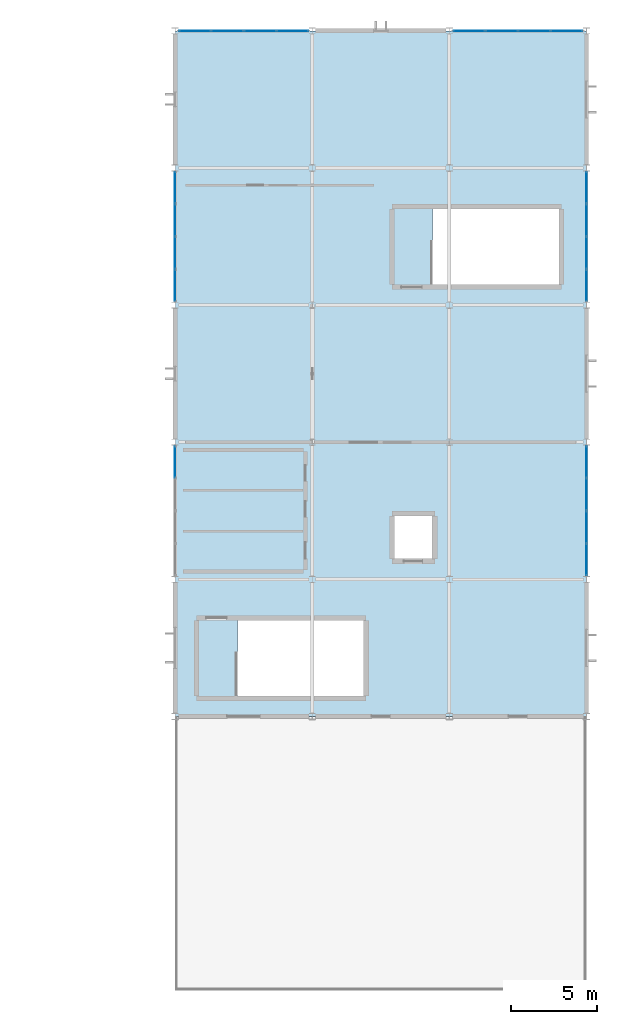
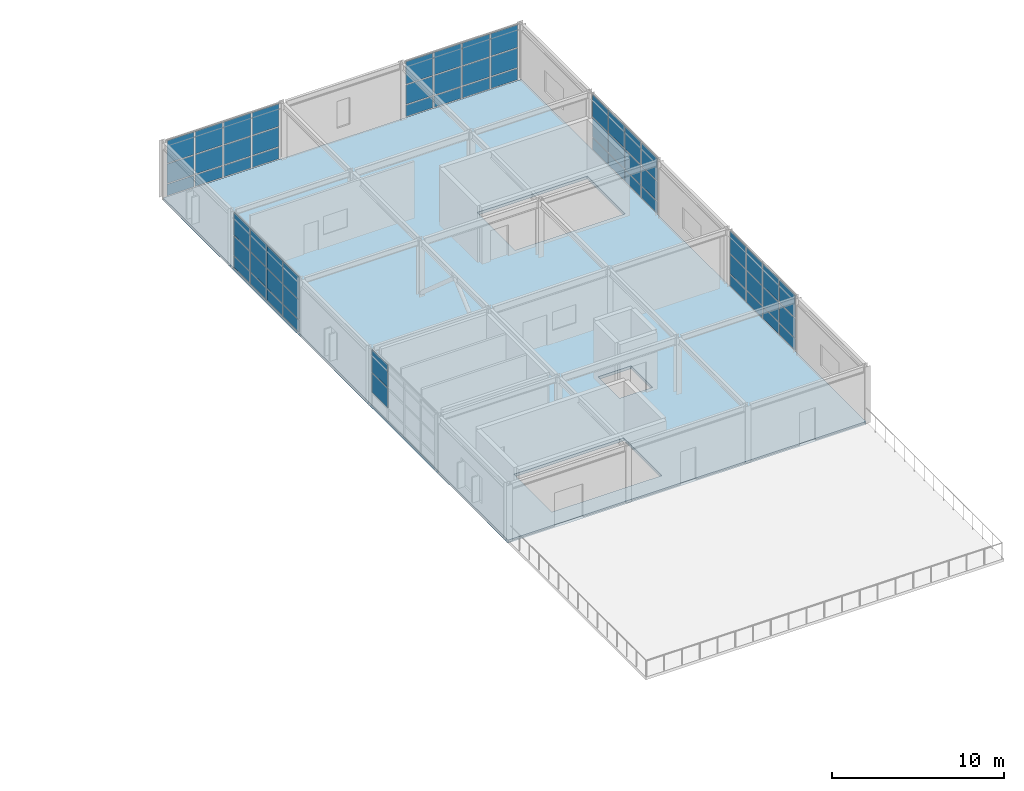
# One storey, part 24 of 34: 62 plates, 1 slab, 6 elements without a shape of their own.
"""IFC4 building model written with IfcOpenShell, lengths in metres."""

from ifc_helpers import new_model, si_unit, direction, frame, origin, origin_2d, place, context, subcontext, project, spatial, polyline, rectangle, outline, extrude, material, layer, layer_set, type_object, element, aggregate, save


model = new_model("IFC4")

# Units and contexts
model_context = context("Model", 3, precision=1e-05, world=origin(), true_north=direction((0.0, 1.0)))
body_context = subcontext(model_context, "Body", "Model", "MODEL_VIEW")
ifc_project = project(units=[si_unit("LENGTHUNIT", "METRE"), si_unit("AREAUNIT", "SQUARE_METRE"), si_unit("VOLUMEUNIT", "CUBIC_METRE"), si_unit("PLANEANGLEUNIT", "RADIAN"), si_unit("MASSUNIT", "GRAM", prefix="KILO")], contexts=[model_context])

# Site, building, storey
site_placement = place(None, origin())
site = spatial("IfcSite", under=ifc_project, at=site_placement, CompositionType="ELEMENT")
building_placement = place(site_placement, origin())
building = spatial("IfcBuilding", under=site, at=building_placement, Name="Varnela Railside Interchange", CompositionType="ELEMENT")
storey_placement = place(building_placement, frame((0.0, 0.0, 19.60009765625)))
storey = spatial("IfcBuildingStorey", under=building, at=storey_placement, Name="L04", CompositionType="ELEMENT", Elevation=19.60009765625)

# Slab
ifc_material_1 = material(Name="Concrete C40", Category="concrete")
ifc_layer_1 = layer(ifc_material_1, 0.199951171875)
ifc_layer_set_1 = layer_set([ifc_layer_1], Name="Concrete C40")
slab_type = type_object("IfcSlabType", Name="Community & Simulator Slab SL-200B", PredefinedType="FLOOR", material=ifc_layer_set_1)
slab_placement = place(storey_placement, frame((0.0, 0.0, -0.2001953125)))
element("IfcSlab", 1, at=slab_placement, inside=storey, type_object=slab_type, Name="Community & Simulator Slab SL-200B (L04) (SL-0180)", PredefinedType="FLOOR", context=body_context, shape_type="SweptSolid", body=[
    extrude(outline(polyline([(116.0, 54.0), (140.0, 54.0), (140.0, 94.0), (116.0, 94.0), (116.0, 54.0)]), holes=[polyline([(119.6298828125, 55.199951171875), (127.0, 55.199951171875), (127.0, 59.60009765625), (119.6298828125, 59.60009765625), (119.6298828125, 55.199951171875)]), polyline([(131.030029296875, 79.199951171875), (138.39990234375, 79.199951171875), (138.39990234375, 83.60009765625), (131.030029296875, 83.60009765625), (131.030029296875, 79.199951171875)]), polyline([(128.800048828125, 63.199951171875), (131.0, 63.199951171875), (131.0, 65.699951171875), (128.800048828125, 65.699951171875), (128.800048828125, 63.199951171875)])]), origin(), (0.0, 0.0, 1.0), 0.2001953125),
])

# Curtain wall, plates
ifc_material_2 = material(Name="Aluminium 6063-T6", Category="aluminium")
ifc_layer_2 = layer(ifc_material_2, 0.035888671875)
ifc_layer_set_2 = layer_set([ifc_layer_2], Name="Aluminium 6063-T6")
curtain_wall_type = type_object("IfcCurtainWallType", Name="Study Pavilion Gallery Curtain Wall CW-02", PredefinedType="USERDEFINED", material=ifc_layer_set_2)
curtain_wall_1_placement = place(storey_placement, origin())
curtain_wall_1 = element("IfcCurtainWall", 2, at=curtain_wall_1_placement, inside=storey, type_object=curtain_wall_type, Name="Curtain Wall CW-02 (L04) (CW-113)", ObjectType="CURTAIN WALL", PredefinedType="USERDEFINED")
ifc_material_3 = material(Name="Glass laminated double", Category="glass")
ifc_layer_3 = layer(ifc_material_3, 0.02001953125)
ifc_layer_set_3 = layer_set([ifc_layer_3], Name="Glass laminated double")
plate_type = type_object("IfcPlateType", Name="Low-E Vision Glazing Panel GL-01", PredefinedType="CURTAIN_PANEL", material=ifc_layer_set_3)
plate_1_placement = place(storey_placement, frame((140.0, 84.85009765625, 0.059814453125), z_axis=(0.0, 0.0, 1.0), x_axis=(0.0, -1.0, 0.0)))
plate_1 = element("IfcPlate", 3, at=plate_1_placement, type_object=plate_type, Name="CW-02 panel 1.1", PredefinedType="CURTAIN_PANEL", context=body_context, shape_type="SweptSolid", body=[
    extrude(rectangle(XDim=1.820068359375, YDim=0.02001953125, at=origin_2d()), origin(), (0.0, 0.0, 1.0), 0.81005859375),
])
plate_2_placement = place(storey_placement, frame((140.0, 84.85009765625, 0.929931640625), z_axis=(0.0, 0.0, 1.0), x_axis=(0.0, -1.0, 0.0)))
plate_2 = element("IfcPlate", 4, at=plate_2_placement, type_object=plate_type, Name="CW-02 panel 1.2", PredefinedType="CURTAIN_PANEL", context=body_context, shape_type="SweptSolid", body=[
    extrude(rectangle(XDim=1.820068359375, YDim=0.02001953125, at=origin_2d()), origin(), (0.0, 0.0, 1.0), 1.37158203125),
])
plate_3_placement = place(storey_placement, frame((140.0, 84.85009765625, 2.361328125), z_axis=(0.0, 0.0, 1.0), x_axis=(0.0, -1.0, 0.0)))
plate_3 = element("IfcPlate", 5, at=plate_3_placement, type_object=plate_type, Name="CW-02 panel 1.3", PredefinedType="CURTAIN_PANEL", context=body_context, shape_type="SweptSolid", body=[
    extrude(rectangle(XDim=1.820068359375, YDim=0.02001953125, at=origin_2d()), origin(), (0.0, 0.0, 1.0), 1.598388671875),
])
plate_4_placement = place(storey_placement, frame((140.0, 82.955078125, 0.059814453125), z_axis=(0.0, 0.0, 1.0), x_axis=(0.0, -1.0, 0.0)))
plate_4 = element("IfcPlate", 6, at=plate_4_placement, type_object=plate_type, Name="CW-02 panel 2.1", PredefinedType="CURTAIN_PANEL", context=body_context, shape_type="SweptSolid", body=[
    extrude(rectangle(XDim=1.85009765625, YDim=0.02001953125, at=origin_2d()), origin(), (0.0, 0.0, 1.0), 0.81005859375),
])
plate_5_placement = place(storey_placement, frame((140.0, 82.955078125, 0.929931640625), z_axis=(0.0, 0.0, 1.0), x_axis=(0.0, -1.0, 0.0)))
plate_5 = element("IfcPlate", 7, at=plate_5_placement, type_object=plate_type, Name="CW-02 panel 2.2", PredefinedType="CURTAIN_PANEL", context=body_context, shape_type="SweptSolid", body=[
    extrude(rectangle(XDim=1.85009765625, YDim=0.02001953125, at=origin_2d()), origin(), (0.0, 0.0, 1.0), 1.37158203125),
])
plate_6_placement = place(storey_placement, frame((140.0, 82.955078125, 2.361328125), z_axis=(0.0, 0.0, 1.0), x_axis=(0.0, -1.0, 0.0)))
plate_6 = element("IfcPlate", 8, at=plate_6_placement, type_object=plate_type, Name="CW-02 panel 2.3", PredefinedType="CURTAIN_PANEL", context=body_context, shape_type="SweptSolid", body=[
    extrude(rectangle(XDim=1.85009765625, YDim=0.02001953125, at=origin_2d()), origin(), (0.0, 0.0, 1.0), 1.598388671875),
])
plate_7_placement = place(storey_placement, frame((140.0, 81.044921875, 0.059814453125), z_axis=(0.0, 0.0, 1.0), x_axis=(0.0, -1.0, 0.0)))
plate_7 = element("IfcPlate", 9, at=plate_7_placement, type_object=plate_type, Name="CW-02 panel 3.1", PredefinedType="CURTAIN_PANEL", context=body_context, shape_type="SweptSolid", body=[
    extrude(rectangle(XDim=1.85009765625, YDim=0.02001953125, at=origin_2d()), origin(), (0.0, 0.0, 1.0), 0.81005859375),
])
plate_8_placement = place(storey_placement, frame((140.0, 81.044921875, 0.929931640625), z_axis=(0.0, 0.0, 1.0), x_axis=(0.0, -1.0, 0.0)))
plate_8 = element("IfcPlate", 10, at=plate_8_placement, type_object=plate_type, Name="CW-02 panel 3.2", PredefinedType="CURTAIN_PANEL", context=body_context, shape_type="SweptSolid", body=[
    extrude(rectangle(XDim=1.85009765625, YDim=0.02001953125, at=origin_2d()), origin(), (0.0, 0.0, 1.0), 1.37158203125),
])
plate_9_placement = place(storey_placement, frame((140.0, 81.044921875, 2.361328125), z_axis=(0.0, 0.0, 1.0), x_axis=(0.0, -1.0, 0.0)))
plate_9 = element("IfcPlate", 11, at=plate_9_placement, type_object=plate_type, Name="CW-02 panel 3.3", PredefinedType="CURTAIN_PANEL", context=body_context, shape_type="SweptSolid", body=[
    extrude(rectangle(XDim=1.85009765625, YDim=0.02001953125, at=origin_2d()), origin(), (0.0, 0.0, 1.0), 1.598388671875),
])
plate_10_placement = place(storey_placement, frame((140.0, 79.14990234375, 0.059814453125), z_axis=(0.0, 0.0, 1.0), x_axis=(0.0, -1.0, 0.0)))
plate_10 = element("IfcPlate", 12, at=plate_10_placement, type_object=plate_type, Name="CW-02 panel 4.1", PredefinedType="CURTAIN_PANEL", context=body_context, shape_type="SweptSolid", body=[
    extrude(rectangle(XDim=1.820068359375, YDim=0.02001953125, at=origin_2d()), origin(), (0.0, 0.0, 1.0), 0.81005859375),
])
plate_11_placement = place(storey_placement, frame((140.0, 79.14990234375, 0.929931640625), z_axis=(0.0, 0.0, 1.0), x_axis=(0.0, -1.0, 0.0)))
plate_11 = element("IfcPlate", 13, at=plate_11_placement, type_object=plate_type, Name="CW-02 panel 4.2", PredefinedType="CURTAIN_PANEL", context=body_context, shape_type="SweptSolid", body=[
    extrude(rectangle(XDim=1.820068359375, YDim=0.02001953125, at=origin_2d()), origin(), (0.0, 0.0, 1.0), 1.37158203125),
])
plate_12_placement = place(storey_placement, frame((140.0, 79.14990234375, 2.361328125), z_axis=(0.0, 0.0, 1.0), x_axis=(0.0, -1.0, 0.0)))
plate_12 = element("IfcPlate", 14, at=plate_12_placement, type_object=plate_type, Name="CW-02 panel 4.3", PredefinedType="CURTAIN_PANEL", context=body_context, shape_type="SweptSolid", body=[
    extrude(rectangle(XDim=1.820068359375, YDim=0.02001953125, at=origin_2d()), origin(), (0.0, 0.0, 1.0), 1.598388671875),
])
aggregate(curtain_wall_1, [plate_1, plate_2, plate_3, plate_4, plate_5, plate_6, plate_7, plate_8, plate_9, plate_10, plate_11, plate_12])

curtain_wall_2_placement = place(storey_placement, origin())
curtain_wall_2 = element("IfcCurtainWall", 15, at=curtain_wall_2_placement, inside=storey, type_object=curtain_wall_type, Name="Curtain Wall CW-02 (L04) (CW-114)", ObjectType="CURTAIN WALL", PredefinedType="USERDEFINED")
plate_13_placement = place(storey_placement, frame((140.0, 68.85009765625, 0.059814453125), z_axis=(0.0, 0.0, 1.0), x_axis=(0.0, -1.0, 0.0)))
plate_13 = element("IfcPlate", 16, at=plate_13_placement, type_object=plate_type, Name="CW-02 panel 1.1", PredefinedType="CURTAIN_PANEL", context=body_context, shape_type="SweptSolid", body=[
    extrude(rectangle(XDim=1.820068359375, YDim=0.02001953125, at=origin_2d()), origin(), (0.0, 0.0, 1.0), 0.81005859375),
])
plate_14_placement = place(storey_placement, frame((140.0, 68.85009765625, 0.929931640625), z_axis=(0.0, 0.0, 1.0), x_axis=(0.0, -1.0, 0.0)))
plate_14 = element("IfcPlate", 17, at=plate_14_placement, type_object=plate_type, Name="CW-02 panel 1.2", PredefinedType="CURTAIN_PANEL", context=body_context, shape_type="SweptSolid", body=[
    extrude(rectangle(XDim=1.820068359375, YDim=0.02001953125, at=origin_2d()), origin(), (0.0, 0.0, 1.0), 1.37158203125),
])
plate_15_placement = place(storey_placement, frame((140.0, 68.85009765625, 2.361328125), z_axis=(0.0, 0.0, 1.0), x_axis=(0.0, -1.0, 0.0)))
plate_15 = element("IfcPlate", 18, at=plate_15_placement, type_object=plate_type, Name="CW-02 panel 1.3", PredefinedType="CURTAIN_PANEL", context=body_context, shape_type="SweptSolid", body=[
    extrude(rectangle(XDim=1.820068359375, YDim=0.02001953125, at=origin_2d()), origin(), (0.0, 0.0, 1.0), 1.598388671875),
])
plate_16_placement = place(storey_placement, frame((140.0, 66.955078125, 0.059814453125), z_axis=(0.0, 0.0, 1.0), x_axis=(0.0, -1.0, 0.0)))
plate_16 = element("IfcPlate", 19, at=plate_16_placement, type_object=plate_type, Name="CW-02 panel 2.1", PredefinedType="CURTAIN_PANEL", context=body_context, shape_type="SweptSolid", body=[
    extrude(rectangle(XDim=1.85009765625, YDim=0.02001953125, at=origin_2d()), origin(), (0.0, 0.0, 1.0), 0.81005859375),
])
plate_17_placement = place(storey_placement, frame((140.0, 66.955078125, 0.929931640625), z_axis=(0.0, 0.0, 1.0), x_axis=(0.0, -1.0, 0.0)))
plate_17 = element("IfcPlate", 20, at=plate_17_placement, type_object=plate_type, Name="CW-02 panel 2.2", PredefinedType="CURTAIN_PANEL", context=body_context, shape_type="SweptSolid", body=[
    extrude(rectangle(XDim=1.85009765625, YDim=0.02001953125, at=origin_2d()), origin(), (0.0, 0.0, 1.0), 1.37158203125),
])
plate_18_placement = place(storey_placement, frame((140.0, 66.955078125, 2.361328125), z_axis=(0.0, 0.0, 1.0), x_axis=(0.0, -1.0, 0.0)))
plate_18 = element("IfcPlate", 21, at=plate_18_placement, type_object=plate_type, Name="CW-02 panel 2.3", PredefinedType="CURTAIN_PANEL", context=body_context, shape_type="SweptSolid", body=[
    extrude(rectangle(XDim=1.85009765625, YDim=0.02001953125, at=origin_2d()), origin(), (0.0, 0.0, 1.0), 1.598388671875),
])
plate_19_placement = place(storey_placement, frame((140.0, 65.044921875, 0.059814453125), z_axis=(0.0, 0.0, 1.0), x_axis=(0.0, -1.0, 0.0)))
plate_19 = element("IfcPlate", 22, at=plate_19_placement, type_object=plate_type, Name="CW-02 panel 3.1", PredefinedType="CURTAIN_PANEL", context=body_context, shape_type="SweptSolid", body=[
    extrude(rectangle(XDim=1.85009765625, YDim=0.02001953125, at=origin_2d()), origin(), (0.0, 0.0, 1.0), 0.81005859375),
])
plate_20_placement = place(storey_placement, frame((140.0, 65.044921875, 0.929931640625), z_axis=(0.0, 0.0, 1.0), x_axis=(0.0, -1.0, 0.0)))
plate_20 = element("IfcPlate", 23, at=plate_20_placement, type_object=plate_type, Name="CW-02 panel 3.2", PredefinedType="CURTAIN_PANEL", context=body_context, shape_type="SweptSolid", body=[
    extrude(rectangle(XDim=1.85009765625, YDim=0.02001953125, at=origin_2d()), origin(), (0.0, 0.0, 1.0), 1.37158203125),
])
plate_21_placement = place(storey_placement, frame((140.0, 65.044921875, 2.361328125), z_axis=(0.0, 0.0, 1.0), x_axis=(0.0, -1.0, 0.0)))
plate_21 = element("IfcPlate", 24, at=plate_21_placement, type_object=plate_type, Name="CW-02 panel 3.3", PredefinedType="CURTAIN_PANEL", context=body_context, shape_type="SweptSolid", body=[
    extrude(rectangle(XDim=1.85009765625, YDim=0.02001953125, at=origin_2d()), origin(), (0.0, 0.0, 1.0), 1.598388671875),
])
plate_22_placement = place(storey_placement, frame((140.0, 63.14990234375, 0.059814453125), z_axis=(0.0, 0.0, 1.0), x_axis=(0.0, -1.0, 0.0)))
plate_22 = element("IfcPlate", 25, at=plate_22_placement, type_object=plate_type, Name="CW-02 panel 4.1", PredefinedType="CURTAIN_PANEL", context=body_context, shape_type="SweptSolid", body=[
    extrude(rectangle(XDim=1.820068359375, YDim=0.02001953125, at=origin_2d()), origin(), (0.0, 0.0, 1.0), 0.81005859375),
])
plate_23_placement = place(storey_placement, frame((140.0, 63.14990234375, 0.929931640625), z_axis=(0.0, 0.0, 1.0), x_axis=(0.0, -1.0, 0.0)))
plate_23 = element("IfcPlate", 26, at=plate_23_placement, type_object=plate_type, Name="CW-02 panel 4.2", PredefinedType="CURTAIN_PANEL", context=body_context, shape_type="SweptSolid", body=[
    extrude(rectangle(XDim=1.820068359375, YDim=0.02001953125, at=origin_2d()), origin(), (0.0, 0.0, 1.0), 1.37158203125),
])
plate_24_placement = place(storey_placement, frame((140.0, 63.14990234375, 2.361328125), z_axis=(0.0, 0.0, 1.0), x_axis=(0.0, -1.0, 0.0)))
plate_24 = element("IfcPlate", 27, at=plate_24_placement, type_object=plate_type, Name="CW-02 panel 4.3", PredefinedType="CURTAIN_PANEL", context=body_context, shape_type="SweptSolid", body=[
    extrude(rectangle(XDim=1.820068359375, YDim=0.02001953125, at=origin_2d()), origin(), (0.0, 0.0, 1.0), 1.598388671875),
])
aggregate(curtain_wall_2, [plate_13, plate_14, plate_15, plate_16, plate_17, plate_18, plate_19, plate_20, plate_21, plate_22, plate_23, plate_24])

curtain_wall_3_placement = place(storey_placement, origin())
curtain_wall_3 = element("IfcCurtainWall", 28, at=curtain_wall_3_placement, inside=storey, type_object=curtain_wall_type, Name="Curtain Wall CW-02 (L04) (CW-115)", ObjectType="CURTAIN WALL", PredefinedType="USERDEFINED")
plate_25_placement = place(storey_placement, frame((116.0, 68.85009765625, 0.929931640625), z_axis=(0.0, 0.0, 1.0), x_axis=(0.0, 1.0, 0.0)))
plate_25 = element("IfcPlate", 29, at=plate_25_placement, type_object=plate_type, Name="CW-02 panel 4.2", PredefinedType="CURTAIN_PANEL", context=body_context, shape_type="SweptSolid", body=[
    extrude(rectangle(XDim=1.820068359375, YDim=0.02001953125, at=origin_2d()), origin(), (0.0, 0.0, 1.0), 1.37158203125),
])
plate_26_placement = place(storey_placement, frame((116.0, 68.85009765625, 2.361328125), z_axis=(0.0, 0.0, 1.0), x_axis=(0.0, 1.0, 0.0)))
plate_26 = element("IfcPlate", 30, at=plate_26_placement, type_object=plate_type, Name="CW-02 panel 4.3", PredefinedType="CURTAIN_PANEL", context=body_context, shape_type="SweptSolid", body=[
    extrude(rectangle(XDim=1.820068359375, YDim=0.02001953125, at=origin_2d()), origin(), (0.0, 0.0, 1.0), 1.598388671875),
])
aggregate(curtain_wall_3, [plate_25, plate_26])

curtain_wall_4_placement = place(storey_placement, origin())
curtain_wall_4 = element("IfcCurtainWall", 31, at=curtain_wall_4_placement, inside=storey, type_object=curtain_wall_type, Name="Curtain Wall CW-02 (L04) (CW-116)", ObjectType="CURTAIN WALL", PredefinedType="USERDEFINED")
plate_27_placement = place(storey_placement, frame((116.0, 79.14990234375, 0.059814453125), z_axis=(0.0, 0.0, 1.0), x_axis=(0.0, 1.0, 0.0)))
plate_27 = element("IfcPlate", 32, at=plate_27_placement, type_object=plate_type, Name="CW-02 panel 1.1", PredefinedType="CURTAIN_PANEL", context=body_context, shape_type="SweptSolid", body=[
    extrude(rectangle(XDim=1.820068359375, YDim=0.02001953125, at=origin_2d()), origin(), (0.0, 0.0, 1.0), 0.81005859375),
])
plate_28_placement = place(storey_placement, frame((116.0, 79.14990234375, 0.929931640625), z_axis=(0.0, 0.0, 1.0), x_axis=(0.0, 1.0, 0.0)))
plate_28 = element("IfcPlate", 33, at=plate_28_placement, type_object=plate_type, Name="CW-02 panel 1.2", PredefinedType="CURTAIN_PANEL", context=body_context, shape_type="SweptSolid", body=[
    extrude(rectangle(XDim=1.820068359375, YDim=0.02001953125, at=origin_2d()), origin(), (0.0, 0.0, 1.0), 1.37158203125),
])
plate_29_placement = place(storey_placement, frame((116.0, 79.14990234375, 2.361328125), z_axis=(0.0, 0.0, 1.0), x_axis=(0.0, 1.0, 0.0)))
plate_29 = element("IfcPlate", 34, at=plate_29_placement, type_object=plate_type, Name="CW-02 panel 1.3", PredefinedType="CURTAIN_PANEL", context=body_context, shape_type="SweptSolid", body=[
    extrude(rectangle(XDim=1.820068359375, YDim=0.02001953125, at=origin_2d()), origin(), (0.0, 0.0, 1.0), 1.598388671875),
])
plate_30_placement = place(storey_placement, frame((116.0, 81.044921875, 0.059814453125), z_axis=(0.0, 0.0, 1.0), x_axis=(0.0, 1.0, 0.0)))
plate_30 = element("IfcPlate", 35, at=plate_30_placement, type_object=plate_type, Name="CW-02 panel 2.1", PredefinedType="CURTAIN_PANEL", context=body_context, shape_type="SweptSolid", body=[
    extrude(rectangle(XDim=1.85009765625, YDim=0.02001953125, at=origin_2d()), origin(), (0.0, 0.0, 1.0), 0.81005859375),
])
plate_31_placement = place(storey_placement, frame((116.0, 81.044921875, 0.929931640625), z_axis=(0.0, 0.0, 1.0), x_axis=(0.0, 1.0, 0.0)))
plate_31 = element("IfcPlate", 36, at=plate_31_placement, type_object=plate_type, Name="CW-02 panel 2.2", PredefinedType="CURTAIN_PANEL", context=body_context, shape_type="SweptSolid", body=[
    extrude(rectangle(XDim=1.85009765625, YDim=0.02001953125, at=origin_2d()), origin(), (0.0, 0.0, 1.0), 1.37158203125),
])
plate_32_placement = place(storey_placement, frame((116.0, 81.044921875, 2.361328125), z_axis=(0.0, 0.0, 1.0), x_axis=(0.0, 1.0, 0.0)))
plate_32 = element("IfcPlate", 37, at=plate_32_placement, type_object=plate_type, Name="CW-02 panel 2.3", PredefinedType="CURTAIN_PANEL", context=body_context, shape_type="SweptSolid", body=[
    extrude(rectangle(XDim=1.85009765625, YDim=0.02001953125, at=origin_2d()), origin(), (0.0, 0.0, 1.0), 1.598388671875),
])
plate_33_placement = place(storey_placement, frame((116.0, 82.955078125, 0.059814453125), z_axis=(0.0, 0.0, 1.0), x_axis=(0.0, 1.0, 0.0)))
plate_33 = element("IfcPlate", 38, at=plate_33_placement, type_object=plate_type, Name="CW-02 panel 3.1", PredefinedType="CURTAIN_PANEL", context=body_context, shape_type="SweptSolid", body=[
    extrude(rectangle(XDim=1.85009765625, YDim=0.02001953125, at=origin_2d()), origin(), (0.0, 0.0, 1.0), 0.81005859375),
])
plate_34_placement = place(storey_placement, frame((116.0, 82.955078125, 0.929931640625), z_axis=(0.0, 0.0, 1.0), x_axis=(0.0, 1.0, 0.0)))
plate_34 = element("IfcPlate", 39, at=plate_34_placement, type_object=plate_type, Name="CW-02 panel 3.2", PredefinedType="CURTAIN_PANEL", context=body_context, shape_type="SweptSolid", body=[
    extrude(rectangle(XDim=1.85009765625, YDim=0.02001953125, at=origin_2d()), origin(), (0.0, 0.0, 1.0), 1.37158203125),
])
plate_35_placement = place(storey_placement, frame((116.0, 82.955078125, 2.361328125), z_axis=(0.0, 0.0, 1.0), x_axis=(0.0, 1.0, 0.0)))
plate_35 = element("IfcPlate", 40, at=plate_35_placement, type_object=plate_type, Name="CW-02 panel 3.3", PredefinedType="CURTAIN_PANEL", context=body_context, shape_type="SweptSolid", body=[
    extrude(rectangle(XDim=1.85009765625, YDim=0.02001953125, at=origin_2d()), origin(), (0.0, 0.0, 1.0), 1.598388671875),
])
plate_36_placement = place(storey_placement, frame((116.0, 84.85009765625, 0.059814453125), z_axis=(0.0, 0.0, 1.0), x_axis=(0.0, 1.0, 0.0)))
plate_36 = element("IfcPlate", 41, at=plate_36_placement, type_object=plate_type, Name="CW-02 panel 4.1", PredefinedType="CURTAIN_PANEL", context=body_context, shape_type="SweptSolid", body=[
    extrude(rectangle(XDim=1.820068359375, YDim=0.02001953125, at=origin_2d()), origin(), (0.0, 0.0, 1.0), 0.81005859375),
])
plate_37_placement = place(storey_placement, frame((116.0, 84.85009765625, 0.929931640625), z_axis=(0.0, 0.0, 1.0), x_axis=(0.0, 1.0, 0.0)))
plate_37 = element("IfcPlate", 42, at=plate_37_placement, type_object=plate_type, Name="CW-02 panel 4.2", PredefinedType="CURTAIN_PANEL", context=body_context, shape_type="SweptSolid", body=[
    extrude(rectangle(XDim=1.820068359375, YDim=0.02001953125, at=origin_2d()), origin(), (0.0, 0.0, 1.0), 1.37158203125),
])
plate_38_placement = place(storey_placement, frame((116.0, 84.85009765625, 2.361328125), z_axis=(0.0, 0.0, 1.0), x_axis=(0.0, 1.0, 0.0)))
plate_38 = element("IfcPlate", 43, at=plate_38_placement, type_object=plate_type, Name="CW-02 panel 4.3", PredefinedType="CURTAIN_PANEL", context=body_context, shape_type="SweptSolid", body=[
    extrude(rectangle(XDim=1.820068359375, YDim=0.02001953125, at=origin_2d()), origin(), (0.0, 0.0, 1.0), 1.598388671875),
])
aggregate(curtain_wall_4, [plate_27, plate_28, plate_29, plate_30, plate_31, plate_32, plate_33, plate_34, plate_35, plate_36, plate_37, plate_38])

curtain_wall_5_placement = place(storey_placement, origin())
curtain_wall_5 = element("IfcCurtainWall", 44, at=curtain_wall_5_placement, inside=storey, type_object=curtain_wall_type, Name="Curtain Wall CW-02 (L04) (CW-117)", ObjectType="CURTAIN WALL", PredefinedType="USERDEFINED")
plate_39_placement = place(storey_placement, frame((117.15380859375, 94.0, 0.059814453125), z_axis=(0.0, 0.0, 1.0), x_axis=(1.0, 0.0, 0.0)))
plate_39 = element("IfcPlate", 45, at=plate_39_placement, type_object=plate_type, Name="CW-02 panel 1.1", PredefinedType="CURTAIN_PANEL", context=body_context, shape_type="SweptSolid", body=[
    extrude(rectangle(XDim=1.8173828125, YDim=0.02001953125, at=origin_2d()), origin(), (0.0, 0.0, 1.0), 0.81005859375),
])
plate_40_placement = place(storey_placement, frame((117.15380859375, 94.0, 0.929931640625), z_axis=(0.0, 0.0, 1.0), x_axis=(1.0, 0.0, 0.0)))
plate_40 = element("IfcPlate", 46, at=plate_40_placement, type_object=plate_type, Name="CW-02 panel 1.2", PredefinedType="CURTAIN_PANEL", context=body_context, shape_type="SweptSolid", body=[
    extrude(rectangle(XDim=1.8173828125, YDim=0.02001953125, at=origin_2d()), origin(), (0.0, 0.0, 1.0), 1.37158203125),
])
plate_41_placement = place(storey_placement, frame((117.15380859375, 94.0, 2.361328125), z_axis=(0.0, 0.0, 1.0), x_axis=(1.0, 0.0, 0.0)))
plate_41 = element("IfcPlate", 47, at=plate_41_placement, type_object=plate_type, Name="CW-02 panel 1.3", PredefinedType="CURTAIN_PANEL", context=body_context, shape_type="SweptSolid", body=[
    extrude(rectangle(XDim=1.8173828125, YDim=0.02001953125, at=origin_2d()), origin(), (0.0, 0.0, 1.0), 1.598388671875),
])
plate_42_placement = place(storey_placement, frame((119.046142578125, 94.0, 0.059814453125), z_axis=(0.0, 0.0, 1.0), x_axis=(1.0, 0.0, 0.0)))
plate_42 = element("IfcPlate", 48, at=plate_42_placement, type_object=plate_type, Name="CW-02 panel 2.1", PredefinedType="CURTAIN_PANEL", context=body_context, shape_type="SweptSolid", body=[
    extrude(rectangle(XDim=1.847412109375, YDim=0.02001953125, at=origin_2d()), origin(), (0.0, 0.0, 1.0), 0.81005859375),
])
plate_43_placement = place(storey_placement, frame((119.046142578125, 94.0, 0.929931640625), z_axis=(0.0, 0.0, 1.0), x_axis=(1.0, 0.0, 0.0)))
plate_43 = element("IfcPlate", 49, at=plate_43_placement, type_object=plate_type, Name="CW-02 panel 2.2", PredefinedType="CURTAIN_PANEL", context=body_context, shape_type="SweptSolid", body=[
    extrude(rectangle(XDim=1.847412109375, YDim=0.02001953125, at=origin_2d()), origin(), (0.0, 0.0, 1.0), 1.37158203125),
])
plate_44_placement = place(storey_placement, frame((119.046142578125, 94.0, 2.361328125), z_axis=(0.0, 0.0, 1.0), x_axis=(1.0, 0.0, 0.0)))
plate_44 = element("IfcPlate", 50, at=plate_44_placement, type_object=plate_type, Name="CW-02 panel 2.3", PredefinedType="CURTAIN_PANEL", context=body_context, shape_type="SweptSolid", body=[
    extrude(rectangle(XDim=1.847412109375, YDim=0.02001953125, at=origin_2d()), origin(), (0.0, 0.0, 1.0), 1.598388671875),
])
plate_45_placement = place(storey_placement, frame((120.953857421875, 94.0, 0.059814453125), z_axis=(0.0, 0.0, 1.0), x_axis=(1.0, 0.0, 0.0)))
plate_45 = element("IfcPlate", 51, at=plate_45_placement, type_object=plate_type, Name="CW-02 panel 3.1", PredefinedType="CURTAIN_PANEL", context=body_context, shape_type="SweptSolid", body=[
    extrude(rectangle(XDim=1.847412109375, YDim=0.02001953125, at=origin_2d()), origin(), (0.0, 0.0, 1.0), 0.81005859375),
])
plate_46_placement = place(storey_placement, frame((120.953857421875, 94.0, 0.929931640625), z_axis=(0.0, 0.0, 1.0), x_axis=(1.0, 0.0, 0.0)))
plate_46 = element("IfcPlate", 52, at=plate_46_placement, type_object=plate_type, Name="CW-02 panel 3.2", PredefinedType="CURTAIN_PANEL", context=body_context, shape_type="SweptSolid", body=[
    extrude(rectangle(XDim=1.847412109375, YDim=0.02001953125, at=origin_2d()), origin(), (0.0, 0.0, 1.0), 1.37158203125),
])
plate_47_placement = place(storey_placement, frame((120.953857421875, 94.0, 2.361328125), z_axis=(0.0, 0.0, 1.0), x_axis=(1.0, 0.0, 0.0)))
plate_47 = element("IfcPlate", 53, at=plate_47_placement, type_object=plate_type, Name="CW-02 panel 3.3", PredefinedType="CURTAIN_PANEL", context=body_context, shape_type="SweptSolid", body=[
    extrude(rectangle(XDim=1.847412109375, YDim=0.02001953125, at=origin_2d()), origin(), (0.0, 0.0, 1.0), 1.598388671875),
])
plate_48_placement = place(storey_placement, frame((122.84619140625, 94.0, 0.059814453125), z_axis=(0.0, 0.0, 1.0), x_axis=(1.0, 0.0, 0.0)))
plate_48 = element("IfcPlate", 54, at=plate_48_placement, type_object=plate_type, Name="CW-02 panel 4.1", PredefinedType="CURTAIN_PANEL", context=body_context, shape_type="SweptSolid", body=[
    extrude(rectangle(XDim=1.8173828125, YDim=0.02001953125, at=origin_2d()), origin(), (0.0, 0.0, 1.0), 0.81005859375),
])
plate_49_placement = place(storey_placement, frame((122.84619140625, 94.0, 0.929931640625), z_axis=(0.0, 0.0, 1.0), x_axis=(1.0, 0.0, 0.0)))
plate_49 = element("IfcPlate", 55, at=plate_49_placement, type_object=plate_type, Name="CW-02 panel 4.2", PredefinedType="CURTAIN_PANEL", context=body_context, shape_type="SweptSolid", body=[
    extrude(rectangle(XDim=1.8173828125, YDim=0.02001953125, at=origin_2d()), origin(), (0.0, 0.0, 1.0), 1.37158203125),
])
plate_50_placement = place(storey_placement, frame((122.84619140625, 94.0, 2.361328125), z_axis=(0.0, 0.0, 1.0), x_axis=(1.0, 0.0, 0.0)))
plate_50 = element("IfcPlate", 56, at=plate_50_placement, type_object=plate_type, Name="CW-02 panel 4.3", PredefinedType="CURTAIN_PANEL", context=body_context, shape_type="SweptSolid", body=[
    extrude(rectangle(XDim=1.8173828125, YDim=0.02001953125, at=origin_2d()), origin(), (0.0, 0.0, 1.0), 1.598388671875),
])
aggregate(curtain_wall_5, [plate_39, plate_40, plate_41, plate_42, plate_43, plate_44, plate_45, plate_46, plate_47, plate_48, plate_49, plate_50])

curtain_wall_6_placement = place(storey_placement, origin())
curtain_wall_6 = element("IfcCurtainWall", 57, at=curtain_wall_6_placement, inside=storey, type_object=curtain_wall_type, Name="Curtain Wall CW-02 (L04) (CW-119)", ObjectType="CURTAIN WALL", PredefinedType="USERDEFINED")
plate_51_placement = place(storey_placement, frame((133.15380859375, 94.0, 0.059814453125), z_axis=(0.0, 0.0, 1.0), x_axis=(1.0, 0.0, 0.0)))
plate_51 = element("IfcPlate", 58, at=plate_51_placement, type_object=plate_type, Name="CW-02 panel 1.1", PredefinedType="CURTAIN_PANEL", context=body_context, shape_type="SweptSolid", body=[
    extrude(rectangle(XDim=1.8173828125, YDim=0.02001953125, at=origin_2d()), origin(), (0.0, 0.0, 1.0), 0.81005859375),
])
plate_52_placement = place(storey_placement, frame((133.15380859375, 94.0, 0.929931640625), z_axis=(0.0, 0.0, 1.0), x_axis=(1.0, 0.0, 0.0)))
plate_52 = element("IfcPlate", 59, at=plate_52_placement, type_object=plate_type, Name="CW-02 panel 1.2", PredefinedType="CURTAIN_PANEL", context=body_context, shape_type="SweptSolid", body=[
    extrude(rectangle(XDim=1.8173828125, YDim=0.02001953125, at=origin_2d()), origin(), (0.0, 0.0, 1.0), 1.37158203125),
])
plate_53_placement = place(storey_placement, frame((133.15380859375, 94.0, 2.361328125), z_axis=(0.0, 0.0, 1.0), x_axis=(1.0, 0.0, 0.0)))
plate_53 = element("IfcPlate", 60, at=plate_53_placement, type_object=plate_type, Name="CW-02 panel 1.3", PredefinedType="CURTAIN_PANEL", context=body_context, shape_type="SweptSolid", body=[
    extrude(rectangle(XDim=1.8173828125, YDim=0.02001953125, at=origin_2d()), origin(), (0.0, 0.0, 1.0), 1.598388671875),
])
plate_54_placement = place(storey_placement, frame((135.046142578125, 94.0, 0.059814453125), z_axis=(0.0, 0.0, 1.0), x_axis=(1.0, 0.0, 0.0)))
plate_54 = element("IfcPlate", 61, at=plate_54_placement, type_object=plate_type, Name="CW-02 panel 2.1", PredefinedType="CURTAIN_PANEL", context=body_context, shape_type="SweptSolid", body=[
    extrude(rectangle(XDim=1.847412109375, YDim=0.02001953125, at=origin_2d()), origin(), (0.0, 0.0, 1.0), 0.81005859375),
])
plate_55_placement = place(storey_placement, frame((135.046142578125, 94.0, 0.929931640625), z_axis=(0.0, 0.0, 1.0), x_axis=(1.0, 0.0, 0.0)))
plate_55 = element("IfcPlate", 62, at=plate_55_placement, type_object=plate_type, Name="CW-02 panel 2.2", PredefinedType="CURTAIN_PANEL", context=body_context, shape_type="SweptSolid", body=[
    extrude(rectangle(XDim=1.847412109375, YDim=0.02001953125, at=origin_2d()), origin(), (0.0, 0.0, 1.0), 1.37158203125),
])
plate_56_placement = place(storey_placement, frame((135.046142578125, 94.0, 2.361328125), z_axis=(0.0, 0.0, 1.0), x_axis=(1.0, 0.0, 0.0)))
plate_56 = element("IfcPlate", 63, at=plate_56_placement, type_object=plate_type, Name="CW-02 panel 2.3", PredefinedType="CURTAIN_PANEL", context=body_context, shape_type="SweptSolid", body=[
    extrude(rectangle(XDim=1.847412109375, YDim=0.02001953125, at=origin_2d()), origin(), (0.0, 0.0, 1.0), 1.598388671875),
])
plate_57_placement = place(storey_placement, frame((136.953857421875, 94.0, 0.059814453125), z_axis=(0.0, 0.0, 1.0), x_axis=(1.0, 0.0, 0.0)))
plate_57 = element("IfcPlate", 64, at=plate_57_placement, type_object=plate_type, Name="CW-02 panel 3.1", PredefinedType="CURTAIN_PANEL", context=body_context, shape_type="SweptSolid", body=[
    extrude(rectangle(XDim=1.847412109375, YDim=0.02001953125, at=origin_2d()), origin(), (0.0, 0.0, 1.0), 0.81005859375),
])
plate_58_placement = place(storey_placement, frame((136.953857421875, 94.0, 0.929931640625), z_axis=(0.0, 0.0, 1.0), x_axis=(1.0, 0.0, 0.0)))
plate_58 = element("IfcPlate", 65, at=plate_58_placement, type_object=plate_type, Name="CW-02 panel 3.2", PredefinedType="CURTAIN_PANEL", context=body_context, shape_type="SweptSolid", body=[
    extrude(rectangle(XDim=1.847412109375, YDim=0.02001953125, at=origin_2d()), origin(), (0.0, 0.0, 1.0), 1.37158203125),
])
plate_59_placement = place(storey_placement, frame((136.953857421875, 94.0, 2.361328125), z_axis=(0.0, 0.0, 1.0), x_axis=(1.0, 0.0, 0.0)))
plate_59 = element("IfcPlate", 66, at=plate_59_placement, type_object=plate_type, Name="CW-02 panel 3.3", PredefinedType="CURTAIN_PANEL", context=body_context, shape_type="SweptSolid", body=[
    extrude(rectangle(XDim=1.847412109375, YDim=0.02001953125, at=origin_2d()), origin(), (0.0, 0.0, 1.0), 1.598388671875),
])
plate_60_placement = place(storey_placement, frame((138.84619140625, 94.0, 0.059814453125), z_axis=(0.0, 0.0, 1.0), x_axis=(1.0, 0.0, 0.0)))
plate_60 = element("IfcPlate", 67, at=plate_60_placement, type_object=plate_type, Name="CW-02 panel 4.1", PredefinedType="CURTAIN_PANEL", context=body_context, shape_type="SweptSolid", body=[
    extrude(rectangle(XDim=1.8173828125, YDim=0.02001953125, at=origin_2d()), origin(), (0.0, 0.0, 1.0), 0.81005859375),
])
plate_61_placement = place(storey_placement, frame((138.84619140625, 94.0, 0.929931640625), z_axis=(0.0, 0.0, 1.0), x_axis=(1.0, 0.0, 0.0)))
plate_61 = element("IfcPlate", 68, at=plate_61_placement, type_object=plate_type, Name="CW-02 panel 4.2", PredefinedType="CURTAIN_PANEL", context=body_context, shape_type="SweptSolid", body=[
    extrude(rectangle(XDim=1.8173828125, YDim=0.02001953125, at=origin_2d()), origin(), (0.0, 0.0, 1.0), 1.37158203125),
])
plate_62_placement = place(storey_placement, frame((138.84619140625, 94.0, 2.361328125), z_axis=(0.0, 0.0, 1.0), x_axis=(1.0, 0.0, 0.0)))
plate_62 = element("IfcPlate", 69, at=plate_62_placement, type_object=plate_type, Name="CW-02 panel 4.3", PredefinedType="CURTAIN_PANEL", context=body_context, shape_type="SweptSolid", body=[
    extrude(rectangle(XDim=1.8173828125, YDim=0.02001953125, at=origin_2d()), origin(), (0.0, 0.0, 1.0), 1.598388671875),
])
aggregate(curtain_wall_6, [plate_51, plate_52, plate_53, plate_54, plate_55, plate_56, plate_57, plate_58, plate_59, plate_60, plate_61, plate_62])

save(model, "model.ifc")
